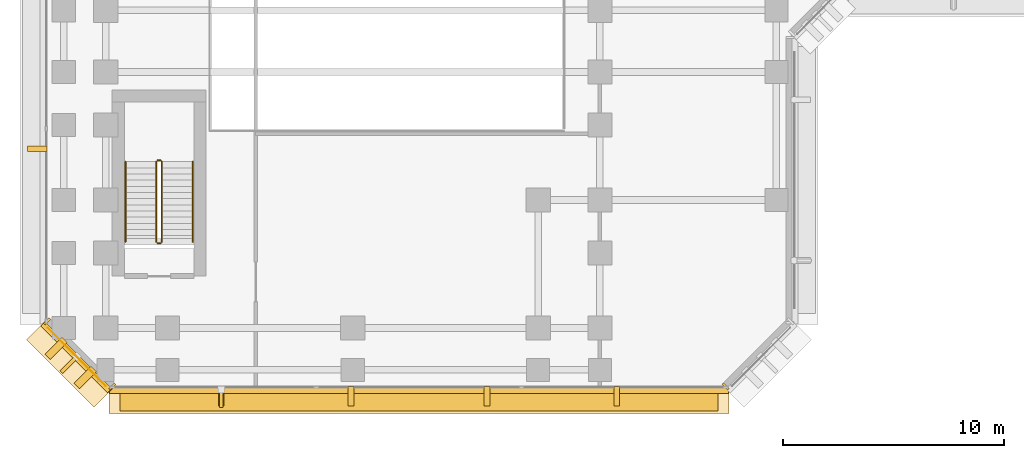
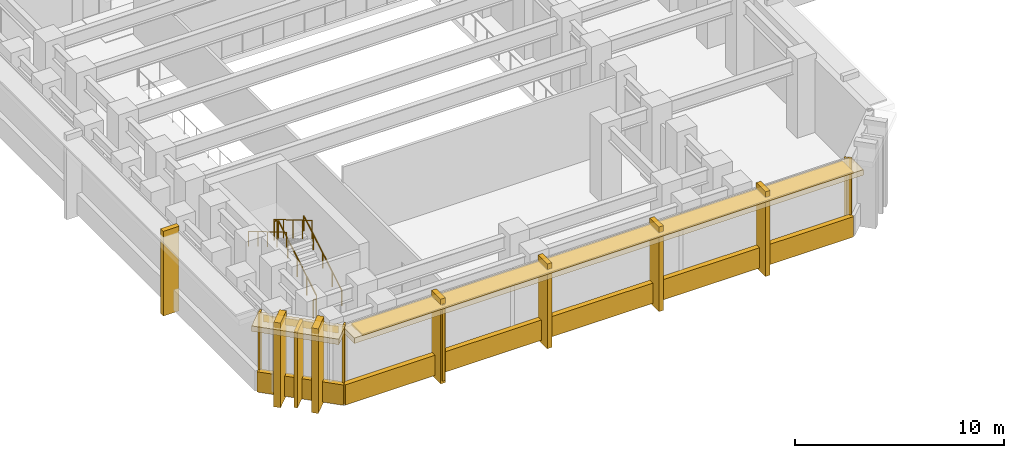
# One storey, part 10 of 16: 15 coverings, 6 railings, 3 shading devices.
"""IFC4 building model written with IfcOpenShell, lengths in metres."""

from ifc_helpers import new_model, si_unit, direction, frame, origin, origin_2d, place, context, subcontext, project, spatial, rectangle, circle, extrude, material, layer, layer_set, material_profile, profile_set, type_object, element, save


model = new_model("IFC4")

# Units and contexts
model_context = context("Model", 3, precision=1e-05, world=origin(), true_north=direction((0.0, 1.0)))
body_context = subcontext(model_context, "Body", "Model", "MODEL_VIEW")
ifc_project = project(units=[si_unit("LENGTHUNIT", "METRE"), si_unit("AREAUNIT", "SQUARE_METRE"), si_unit("VOLUMEUNIT", "CUBIC_METRE"), si_unit("PLANEANGLEUNIT", "RADIAN"), si_unit("MASSUNIT", "GRAM", prefix="KILO")], contexts=[model_context])

# Site, building, storey
site_placement = place(None, origin())
site = spatial("IfcSite", under=ifc_project, at=site_placement, CompositionType="ELEMENT")
building_placement = place(site_placement, origin())
building = spatial("IfcBuilding", under=site, at=building_placement, Name="Kefirva Bronze Tower", CompositionType="ELEMENT")
storey_placement = place(building_placement, frame((0.0, 0.0, 16.5)))
storey = spatial("IfcBuildingStorey", under=building, at=storey_placement, Name="L03", CompositionType="ELEMENT", Elevation=16.5)

# Coverings
ifc_material_1 = material(Name="Bronze anodised aluminium", Category="aluminium")
ifc_layer_1 = layer(ifc_material_1, 0.02001953125, Name="Bronze anodised aluminium")
ifc_layer_set_1 = layer_set([ifc_layer_1], Name="Bronze anodised aluminium")
covering_type_1 = type_object("IfcCoveringType", Name="Anodised Bronze Spandrel Cladding 20mm", PredefinedType="CLADDING", material=ifc_layer_set_1)
covering_1_placement = place(storey_placement, frame((15.0, -2.0400390625, -0.16015625), z_axis=(0.0, 0.0, 1.0), x_axis=(1.0, 0.0, 0.0)))
element("IfcCovering", 1, at=covering_1_placement, inside=storey, type_object=covering_type_1, Name="L03 Streamline Horizontal Spandrel Band 0", PredefinedType="CLADDING", context=body_context, shape_type="SweptSolid", body=[
    extrude(rectangle(XDim=28.0400390625, YDim=0.280029296875, at=origin_2d()), origin(), (0.0, 0.0, 1.0), 1.179931640625),
])
covering_2_placement = place(storey_placement, frame((28.8974609375, -1.847900390625, 0.0), z_axis=(0.0, 0.0, 1.0), x_axis=(0.707106781187, 0.707106781187, 0.0)))
element("IfcCovering", 2, at=covering_2_placement, inside=storey, type_object=covering_type_1, Name="L03 Facade Joint Closure Panel 1S", PredefinedType="CLADDING", context=body_context, shape_type="SweptSolid", body=[
    extrude(rectangle(XDim=0.10009765625, YDim=0.360107421875, at=origin_2d()), origin(), (0.0, 0.0, 1.0), 4.300048828125),
])
covering_3_placement = place(storey_placement, frame((-0.507080078125, -0.507080078125, 3.880126953125), z_axis=(0.0, 0.0, 1.0), x_axis=(0.707106781187, -0.707106781187, 0.0)))
element("IfcCovering", 3, at=covering_3_placement, inside=storey, type_object=covering_type_1, Name="L03 Bronze Spandrel Cladding 7", PredefinedType="CLADDING", context=body_context, shape_type="SweptSolid", body=[
    extrude(rectangle(XDim=3.719482421875, YDim=0.02001953125, at=origin_2d()), origin(), (0.0, 0.0, 1.0), 0.39990234375),
])
for number, where, z_axis, x_axis, name in (
    (4, (-1.847900390625, 1.1025390625, 0.0), (0.0, 0.0, 1.0), (0.707106781187, -0.707106781187, 0.0), "L03 Facade Joint Closure Panel 7S"),
    (5, (1.1025390625, -1.847900390625, 0.0), (0.0, 0.0, 1.0), (0.707106781187, -0.707106781187, 0.0), "L03 Facade Joint Closure Panel 7E"),
):
    element("IfcCovering", number, at=place(storey_placement, frame(where, z_axis=z_axis, x_axis=x_axis)), inside=storey, type_object=covering_type_1, Name=name, PredefinedType="CLADDING", context=body_context, shape_type="SweptSolid", body=[
        extrude(rectangle(XDim=0.10009765625, YDim=0.360107421875, at=origin_2d()), origin(), (0.0, 0.0, 1.0), 4.300048828125),
    ])
covering_4_placement = place(storey_placement, frame((-0.5283203125, -0.5283203125, -0.16015625), z_axis=(0.0, 0.0, 1.0), x_axis=(0.707106781187, -0.707106781187, 0.0)))
element("IfcCovering", 6, at=covering_4_placement, inside=storey, type_object=covering_type_1, Name="L03 Streamline Horizontal Spandrel Band 11", PredefinedType="CLADDING", context=body_context, shape_type="SweptSolid", body=[
    extrude(rectangle(XDim=4.28271484375, YDim=0.280029296875, at=origin_2d()), origin(), (0.0, 0.0, 1.0), 1.179931640625),
])

# Shading device
ifc_material_profile_1 = material_profile(ifc_material_1, rectangle(XDim=0.179931640625, YDim=1.080078125, at=origin_2d()), Name="BRONZE BUTTRESS FIN 180x1080")
ifc_profile_set_1 = profile_set([ifc_material_profile_1], Name="Bronze anodised aluminium")
shading_device_type_1 = type_object("IfcShadingDeviceType", Name="Chamfered Corner Buttress Bronze Fin 1080mm", PredefinedType="USERDEFINED", material=ifc_profile_set_1)
shading_device_1_placement = place(storey_placement, frame((-0.8251953125, -0.8251953125, -0.139892578125), z_axis=(0.0, 0.0, 1.0), x_axis=(0.707106781187, -0.707106781187, 0.0)))
element("IfcShadingDevice", 7, at=shading_device_1_placement, inside=storey, type_object=shading_device_type_1, Name="L03 Chamfered Corner Buttress Fin 34", ObjectType="VERTICAL FIN", PredefinedType="USERDEFINED", context=body_context, shape_type="SweptSolid", body=[
    extrude(rectangle(XDim=0.179931640625, YDim=1.080078125, at=origin_2d()), origin(), (0.0, 0.0, 1.0), 4.43994140625),
])

# Railings
ifc_material_2 = material(Name="Stainless steel 316", Category="steel")
railing_type_1 = type_object("IfcRailingType", Name="Interior Stair Guardrail 1100mm", PredefinedType="GUARDRAIL", material=ifc_material_2)
railing_1_placement = place(storey_placement, frame((3.35009765625, 4.699951171875, 0.1650390625)))
element("IfcRailing", 8, at=railing_1_placement, inside=storey, type_object=railing_type_1, Name="L03 ST-3 stair guard 1", PredefinedType="GUARDRAIL", context=body_context, shape_type="SweptSolid", body=[
    extrude(circle(Radius=0.02392578125, at=origin_2d()), frame((0.0, 0.0, 1.076171875), z_axis=(0.0, 0.861544779993, 0.507681585313), x_axis=(-1.0, 0.0, 0.0)), (0.0, 0.0, 1.0), 4.22509765625),
    extrude(circle(Radius=0.02099609375, at=origin_2d()), origin(), (0.0, 0.0, 1.0), 1.052001953125),
    extrude(circle(Radius=0.02099609375, at=origin_2d()), frame((0.0, 0.91015625, 0.5361328125)), (0.0, 0.0, 1.0), 1.052001953125),
    extrude(circle(Radius=0.02099609375, at=origin_2d()), frame((0.0, 1.820068359375, 1.072509765625)), (0.0, 0.0, 1.0), 1.052001953125),
    extrude(circle(Radius=0.02099609375, at=origin_2d()), frame((0.0, 2.72998046875, 1.60888671875)), (0.0, 0.0, 1.0), 1.052001953125),
    extrude(circle(Radius=0.02099609375, at=origin_2d()), frame((0.0, 3.64013671875, 2.14501953125)), (0.0, 0.0, 1.0), 1.052001953125),
])
railing_2_placement = place(storey_placement, frame((3.300048828125, 8.389892578125, 2.31005859375)))
element("IfcRailing", 9, at=railing_2_placement, inside=storey, type_object=railing_type_1, Name="L03 ST-3 stair guard 2", PredefinedType="GUARDRAIL", context=body_context, shape_type="SweptSolid", body=[
    extrude(circle(Radius=0.02392578125, at=origin_2d()), frame((0.0, 0.0, 1.076171875), z_axis=(-1.0, 0.0, 0.0), x_axis=(0.0, -1.0, 0.0)), (0.0, 0.0, 1.0), 0.150146484375),
    extrude(circle(Radius=0.02099609375, at=origin_2d()), origin(), (0.0, 0.0, 1.0), 1.052001953125),
    extrude(circle(Radius=0.02099609375, at=origin_2d()), frame((-0.150146484375, 0.0, 0.0)), (0.0, 0.0, 1.0), 1.052001953125),
])
railing_3_placement = place(storey_placement, frame((3.10009765625, 8.340087890625, 2.47509765625)))
element("IfcRailing", 10, at=railing_3_placement, inside=storey, type_object=railing_type_1, Name="L03 ST-3 stair guard 3", PredefinedType="GUARDRAIL", context=body_context, shape_type="SweptSolid", body=[
    extrude(circle(Radius=0.02392578125, at=origin_2d()), frame((0.0, 0.0, 1.076171875), z_axis=(0.0, -0.861544779993, 0.507681585313), x_axis=(1.0, 0.0, 0.0)), (0.0, 0.0, 1.0), 4.22509765625),
    extrude(circle(Radius=0.02099609375, at=origin_2d()), origin(), (0.0, 0.0, 1.0), 1.052001953125),
    extrude(circle(Radius=0.02099609375, at=origin_2d()), frame((0.0, -0.91015625, 0.5361328125)), (0.0, 0.0, 1.0), 1.052001953125),
    extrude(circle(Radius=0.02099609375, at=origin_2d()), frame((0.0, -1.820068359375, 1.072509765625)), (0.0, 0.0, 1.0), 1.052001953125),
    extrude(circle(Radius=0.02099609375, at=origin_2d()), frame((0.0, -2.72998046875, 1.60888671875)), (0.0, 0.0, 1.0), 1.052001953125),
    extrude(circle(Radius=0.02099609375, at=origin_2d()), frame((0.0, -3.64013671875, 2.14501953125)), (0.0, 0.0, 1.0), 1.052001953125),
])
railing_4_placement = place(storey_placement, frame((3.300048828125, 4.64990234375, 0.0)))
element("IfcRailing", 11, at=railing_4_placement, inside=storey, type_object=railing_type_1, Name="L03 ST-3 stair guard 4", PredefinedType="GUARDRAIL", context=body_context, shape_type="SweptSolid", body=[
    extrude(circle(Radius=0.02392578125, at=origin_2d()), frame((0.0, 0.0, 1.076171875), z_axis=(-1.0, 0.0, 0.0), x_axis=(0.0, -1.0, 0.0)), (0.0, 0.0, 1.0), 0.150146484375),
    extrude(circle(Radius=0.02099609375, at=origin_2d()), origin(), (0.0, 0.0, 1.0), 1.052001953125),
    extrude(circle(Radius=0.02099609375, at=origin_2d()), frame((-0.150146484375, 0.0, 0.0)), (0.0, 0.0, 1.0), 1.052001953125),
])

# Shading device
ifc_layer_2 = layer(ifc_material_1, 0.1201171875, Name="Bronze anodised aluminium")
ifc_layer_set_2 = layer_set([ifc_layer_2], Name="Bronze anodised aluminium")
shading_device_type_2 = type_object("IfcShadingDeviceType", Name="Podium Deep Bronze Canopy Sunshade 1050mm", PredefinedType="JALOUSIE", material=ifc_layer_set_2)
shading_device_2_placement = place(storey_placement, frame((15.0, -2.445068359375, 4.19482421875), z_axis=(0.0, 0.0, 1.0), x_axis=(1.0, 0.0, 0.0)))
element("IfcShadingDevice", 12, at=shading_device_2_placement, inside=storey, type_object=shading_device_type_2, Name="L03 Horizontal Bronze Sunshade Band 0", PredefinedType="JALOUSIE", context=body_context, shape_type="SweptSolid", body=[
    extrude(rectangle(XDim=27.090087890625, YDim=1.050048828125, at=origin_2d()), origin(), (0.0, 0.0, 1.0), 0.090087890625),
])

# Railings
railing_type_2 = type_object("IfcRailingType", Name="Stair Pitch Handrail 900mm", PredefinedType="HANDRAIL", material=ifc_material_2)
railing_5_placement = place(storey_placement, frame((4.75, 4.699951171875, 0.1650390625)))
element("IfcRailing", 13, at=railing_5_placement, inside=storey, type_object=railing_type_2, Name="L03 ST-3 stair handrail 1", PredefinedType="HANDRAIL", context=body_context, shape_type="SweptSolid", body=[
    extrude(circle(Radius=0.02392578125, at=origin_2d()), frame((0.0, 0.0, 0.8759765625), z_axis=(0.0, 0.861544779993, 0.507681585313), x_axis=(-1.0, 0.0, 0.0)), (0.0, 0.0, 1.0), 4.22509765625),
    extrude(circle(Radius=0.02099609375, at=origin_2d()), origin(), (0.0, 0.0, 1.0), 0.851806640625),
    extrude(circle(Radius=0.02099609375, at=origin_2d()), frame((0.0, 0.91015625, 0.5361328125)), (0.0, 0.0, 1.0), 0.851806640625),
    extrude(circle(Radius=0.02099609375, at=origin_2d()), frame((0.0, 1.820068359375, 1.072509765625)), (0.0, 0.0, 1.0), 0.851806640625),
    extrude(circle(Radius=0.02099609375, at=origin_2d()), frame((0.0, 2.72998046875, 1.60888671875)), (0.0, 0.0, 1.0), 0.851806640625),
    extrude(circle(Radius=0.02099609375, at=origin_2d()), frame((0.0, 3.64013671875, 2.14501953125)), (0.0, 0.0, 1.0), 0.851806640625),
])
railing_6_placement = place(storey_placement, frame((1.699951171875, 8.340087890625, 2.47509765625)))
element("IfcRailing", 14, at=railing_6_placement, inside=storey, type_object=railing_type_2, Name="L03 ST-3 stair handrail 2", PredefinedType="HANDRAIL", context=body_context, shape_type="SweptSolid", body=[
    extrude(circle(Radius=0.02392578125, at=origin_2d()), frame((0.0, 0.0, 0.8759765625), z_axis=(0.0, -0.861544779993, 0.507681585313), x_axis=(1.0, 0.0, 0.0)), (0.0, 0.0, 1.0), 4.22509765625),
    extrude(circle(Radius=0.02099609375, at=origin_2d()), origin(), (0.0, 0.0, 1.0), 0.851806640625),
    extrude(circle(Radius=0.02099609375, at=origin_2d()), frame((0.0, -0.91015625, 0.5361328125)), (0.0, 0.0, 1.0), 0.851806640625),
    extrude(circle(Radius=0.02099609375, at=origin_2d()), frame((0.0, -1.820068359375, 1.072509765625)), (0.0, 0.0, 1.0), 0.851806640625),
    extrude(circle(Radius=0.02099609375, at=origin_2d()), frame((0.0, -2.72998046875, 1.60888671875)), (0.0, 0.0, 1.0), 0.851806640625),
    extrude(circle(Radius=0.02099609375, at=origin_2d()), frame((0.0, -3.64013671875, 2.14501953125)), (0.0, 0.0, 1.0), 0.851806640625),
])

# Coverings
ifc_layer_3 = layer(ifc_material_1, 0.179931640625, Name="Bronze anodised aluminium")
ifc_layer_set_3 = layer_set([ifc_layer_3], Name="Bronze anodised aluminium")
covering_type_2 = type_object("IfcCoveringType", Name="Streamline Bronze Sunshade Eyebrow Cladding 180mm", PredefinedType="CLADDING", material=ifc_layer_set_3)
covering_5_placement = place(storey_placement, frame((15.0, -2.4599609375, 3.97998046875), z_axis=(0.0, 0.0, 1.0), x_axis=(1.0, 0.0, 0.0)))
element("IfcCovering", 15, at=covering_5_placement, inside=storey, type_object=covering_type_2, Name="L03 Streamline Bronze Sunshade Eyebrow 0", PredefinedType="CLADDING", context=body_context, shape_type="SweptSolid", body=[
    extrude(rectangle(XDim=28.080078125, YDim=1.239990234375, at=origin_2d()), origin(), (0.0, 0.0, 1.0), 0.320068359375),
])
covering_6_placement = place(storey_placement, frame((-0.8251953125, -0.8251953125, 3.97998046875), z_axis=(0.0, 0.0, 1.0), x_axis=(0.707106781187, -0.707106781187, 0.0)))
element("IfcCovering", 16, at=covering_6_placement, inside=storey, type_object=covering_type_2, Name="L03 Streamline Bronze Sunshade Eyebrow 11", PredefinedType="CLADDING", context=body_context, shape_type="SweptSolid", body=[
    extrude(rectangle(XDim=4.322509765625, YDim=1.239990234375, at=origin_2d()), origin(), (0.0, 0.0, 1.0), 0.320068359375),
])
ifc_layer_4 = layer(ifc_material_1, 0.260009765625, Name="Bronze anodised aluminium")
ifc_layer_set_4 = layer_set([ifc_layer_4], Name="Bronze anodised aluminium")
covering_type_3 = type_object("IfcCoveringType", Name="Unbroken Bronze Buttress Fin Cladding 260mm", PredefinedType="CLADDING", material=ifc_layer_set_4)
for number, where, z_axis, x_axis, name in (
    (17, (6.0400390625, -2.300048828125, -0.320068359375), (0.0, 0.0, 1.0), (1.0, 0.0, 0.0), "L03 Unbroken Vertical Bronze Rib Fin 1"),
    (18, (11.919921875, -2.300048828125, -0.320068359375), (0.0, 0.0, 1.0), (1.0, 0.0, 0.0), "L03 Unbroken Vertical Bronze Rib Fin 2"),
    (19, (18.080078125, -2.300048828125, -0.320068359375), (0.0, 0.0, 1.0), (1.0, 0.0, 0.0), "L03 Unbroken Vertical Bronze Rib Fin 3"),
    (20, (23.9599609375, -2.300048828125, -0.320068359375), (0.0, 0.0, 1.0), (1.0, 0.0, 0.0), "L03 Unbroken Vertical Bronze Rib Fin 4"),
    (21, (-2.300048828125, 8.919921875, -0.320068359375), (0.0, 0.0, 1.0), (0.0, -1.0, 0.0), "L03 Unbroken Vertical Bronze Rib Fin 32"),
):
    element("IfcCovering", number, at=place(storey_placement, frame(where, z_axis=z_axis, x_axis=x_axis)), inside=storey, type_object=covering_type_3, Name=name, PredefinedType="CLADDING", context=body_context, shape_type="SweptSolid", body=[
        extrude(rectangle(XDim=0.260009765625, YDim=0.8798828125, at=origin_2d()), origin(), (0.0, 0.0, 1.0), 4.93994140625),
    ])
for number, where, z_axis, x_axis, name in (
    (22, (-1.44287109375, -0.122802734375, -0.320068359375), (0.0, 0.0, 1.0), (0.707106781187, -0.707106781187, 0.0), "L03 Chamfered Corner Buttress Fin Cladding 33"),
    (23, (-0.122802734375, -1.44287109375, -0.320068359375), (0.0, 0.0, 1.0), (0.707106781187, -0.707106781187, 0.0), "L03 Chamfered Corner Buttress Fin Cladding 34"),
):
    element("IfcCovering", number, at=place(storey_placement, frame(where, z_axis=z_axis, x_axis=x_axis)), inside=storey, type_object=covering_type_3, Name=name, PredefinedType="CLADDING", context=body_context, shape_type="SweptSolid", body=[
        extrude(rectangle(XDim=0.340087890625, YDim=1.080078125, at=origin_2d()), origin(), (0.0, 0.0, 1.0), 4.93994140625),
    ])

# Shading device
ifc_material_profile_2 = material_profile(ifc_material_1, rectangle(XDim=0.139892578125, YDim=0.8798828125, at=origin_2d()), Name="BRONZE FIN 140x880")
ifc_profile_set_2 = profile_set([ifc_material_profile_2], Name="Bronze anodised aluminium")
shading_device_type_3 = type_object("IfcShadingDeviceType", Name="Unbroken Vertical Bronze Facade Fin 880mm", PredefinedType="USERDEFINED", material=ifc_profile_set_2)
shading_device_3_placement = place(storey_placement, frame((6.0400390625, -2.360107421875, -0.139892578125), z_axis=(0.0, 0.0, 1.0), x_axis=(1.0, 0.0, 0.0)))
element("IfcShadingDevice", 24, at=shading_device_3_placement, inside=storey, type_object=shading_device_type_3, Name="L03 Vertical Bronze Rib Fin 1", ObjectType="VERTICAL FIN", PredefinedType="USERDEFINED", context=body_context, shape_type="SweptSolid", body=[
    extrude(rectangle(XDim=0.139892578125, YDim=0.8798828125, at=origin_2d()), origin(), (0.0, 0.0, 1.0), 4.43994140625),
])

save(model, "model.ifc")
